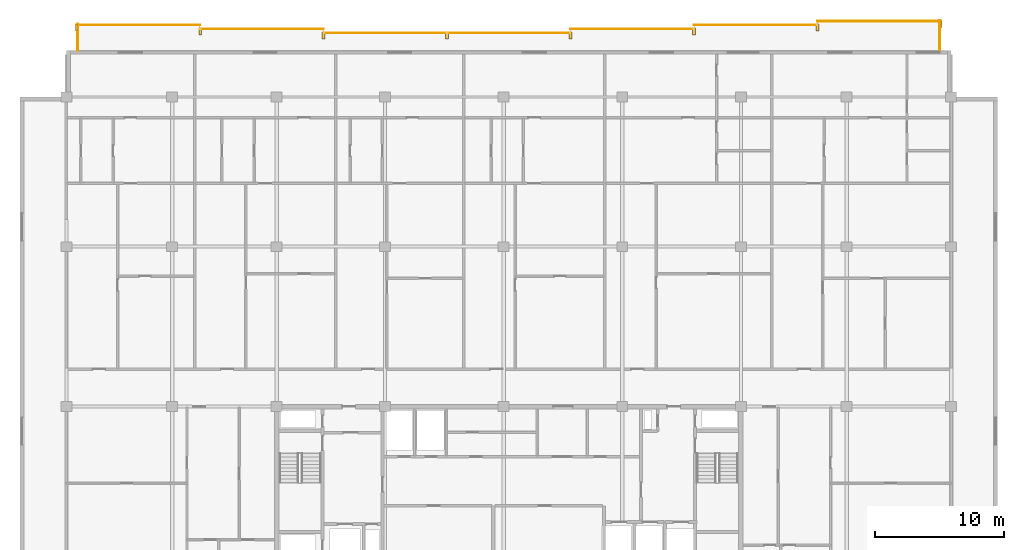
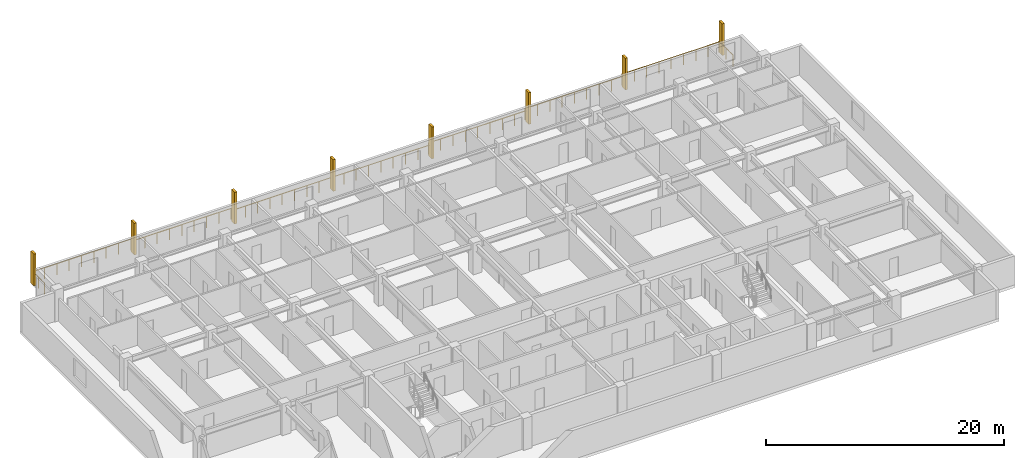
# One storey, part 17 of 17: 8 railings, 8 shading devices.
"""IFC4 building model written with IfcOpenShell, lengths in metres."""

from ifc_helpers import new_model, si_unit, direction, frame, origin, origin_2d, place, context, subcontext, project, spatial, rectangle, circle, extrude, material, type_object, element, save


model = new_model("IFC4")

# Units and contexts
model_context = context("Model", 3, precision=1e-05, world=origin(), true_north=direction((0.0, 1.0)))
body_context = subcontext(model_context, "Body", "Model", "MODEL_VIEW")
ifc_project = project(units=[si_unit("LENGTHUNIT", "METRE"), si_unit("AREAUNIT", "SQUARE_METRE"), si_unit("VOLUMEUNIT", "CUBIC_METRE"), si_unit("PLANEANGLEUNIT", "RADIAN"), si_unit("MASSUNIT", "GRAM", prefix="KILO")], contexts=[model_context])

# Site, building, storey
site_placement = place(None, origin())
site = spatial("IfcSite", under=ifc_project, at=site_placement, CompositionType="ELEMENT")
building_placement = place(site_placement, origin())
building = spatial("IfcBuilding", under=site, at=building_placement, Name="Korimba Cascade Residences", CompositionType="ELEMENT")
storey_placement = place(building_placement, frame((0.0, 0.0, 204.35009765625)))
storey = spatial("IfcBuildingStorey", under=building, at=storey_placement, Name="L59", CompositionType="ELEMENT", Elevation=204.35009765625)

# Railings
ifc_material_1 = material(Name="Laminated Glass and Bronze Balustrade", Category="glass")
railing_type = type_object("IfcRailingType", Name="RLG-LOG-1150", PredefinedType="BALUSTRADE", material=ifc_material_1)
railing_1_placement = place(storey_placement, frame((127.52001953125, 94.800048828125, 0.0)))
element("IfcRailing", 1, at=railing_1_placement, inside=storey, type_object=railing_type, Name="L59 Perimeter Guardrail RLG-L59-T1-LOG-01", PredefinedType="BALUSTRADE", context=body_context, shape_type="SweptSolid", body=[
    extrude(circle(Radius=0.02392578125, at=origin_2d()), frame((0.0, 0.0, 1.1259765625), z_axis=(0.0, 1.0, 0.0), x_axis=(-1.0, 0.0, 0.0)), (0.0, 0.0, 1.0), 2.349853515625),
    extrude(circle(Radius=0.02099609375, at=origin_2d()), origin(), (0.0, 0.0, 1.0), 1.101806640625),
    extrude(circle(Radius=0.02099609375, at=origin_2d()), frame((0.0, 1.1748046875, 0.0)), (0.0, 0.0, 1.0), 1.101806640625),
    extrude(circle(Radius=0.02099609375, at=origin_2d()), frame((0.0, 2.349853515625, 0.0)), (0.0, 0.0, 1.0), 1.101806640625),
])
for number, where, name in (
    (2, (127.60009765625, 97.070068359375, 0.0), "L59 Perimeter Guardrail RLG-L59-T1-LOG-02"),
    (3, (118.028564453125, 96.77001953125, 0.0), "L59 Perimeter Guardrail RLG-L59-T1-LOG-03"),
):
    element("IfcRailing", number, at=place(storey_placement, frame(where)), inside=storey, type_object=railing_type, Name=name, PredefinedType="BALUSTRADE", context=body_context, shape_type="SweptSolid", body=[
        extrude(circle(Radius=0.02392578125, at=origin_2d()), frame((0.0, 0.0, 1.1259765625), z_axis=(-1.0, 0.0, 0.0), x_axis=(0.0, -1.0, 0.0)), (0.0, 0.0, 1.0), 9.571533203125),
        extrude(circle(Radius=0.02099609375, at=origin_2d()), origin(), (0.0, 0.0, 1.0), 1.101806640625),
        extrude(circle(Radius=0.02099609375, at=origin_2d()), frame((-1.196533203125, 0.0, 0.0)), (0.0, 0.0, 1.0), 1.101806640625),
        extrude(circle(Radius=0.02099609375, at=origin_2d()), frame((-2.392822265625, 0.0, 0.0)), (0.0, 0.0, 1.0), 1.101806640625),
        extrude(circle(Radius=0.02099609375, at=origin_2d()), frame((-3.58935546875, 0.0, 0.0)), (0.0, 0.0, 1.0), 1.101806640625),
        extrude(circle(Radius=0.02099609375, at=origin_2d()), frame((-4.78564453125, 0.0, 0.0)), (0.0, 0.0, 1.0), 1.101806640625),
        extrude(circle(Radius=0.02099609375, at=origin_2d()), frame((-5.982177734375, 0.0, 0.0)), (0.0, 0.0, 1.0), 1.101806640625),
        extrude(circle(Radius=0.02099609375, at=origin_2d()), frame((-7.1787109375, 0.0, 0.0)), (0.0, 0.0, 1.0), 1.101806640625),
        extrude(circle(Radius=0.02099609375, at=origin_2d()), frame((-8.375, 0.0, 0.0)), (0.0, 0.0, 1.0), 1.101806640625),
        extrude(circle(Radius=0.02099609375, at=origin_2d()), frame((-9.571533203125, 0.0, 0.0)), (0.0, 0.0, 1.0), 1.101806640625),
    ])
railing_2_placement = place(storey_placement, frame((108.45703125, 96.469970703125, 0.0)))
element("IfcRailing", 4, at=railing_2_placement, inside=storey, type_object=railing_type, Name="L59 Perimeter Guardrail RLG-L59-T1-LOG-04", PredefinedType="BALUSTRADE", context=body_context, shape_type="SweptSolid", body=[
    extrude(circle(Radius=0.02392578125, at=origin_2d()), frame((0.0, 0.0, 1.1259765625), z_axis=(-1.0, 0.0, 0.0), x_axis=(0.0, -1.0, 0.0)), (0.0, 0.0, 1.0), 9.5712890625),
    extrude(circle(Radius=0.02099609375, at=origin_2d()), origin(), (0.0, 0.0, 1.0), 1.101806640625),
    extrude(circle(Radius=0.02099609375, at=origin_2d()), frame((-1.1962890625, 0.0, 0.0)), (0.0, 0.0, 1.0), 1.101806640625),
    extrude(circle(Radius=0.02099609375, at=origin_2d()), frame((-2.392822265625, 0.0, 0.0)), (0.0, 0.0, 1.0), 1.101806640625),
    extrude(circle(Radius=0.02099609375, at=origin_2d()), frame((-3.58935546875, 0.0, 0.0)), (0.0, 0.0, 1.0), 1.101806640625),
    extrude(circle(Radius=0.02099609375, at=origin_2d()), frame((-4.78564453125, 0.0, 0.0)), (0.0, 0.0, 1.0), 1.101806640625),
    extrude(circle(Radius=0.02099609375, at=origin_2d()), frame((-5.98193359375, 0.0, 0.0)), (0.0, 0.0, 1.0), 1.101806640625),
    extrude(circle(Radius=0.02099609375, at=origin_2d()), frame((-7.178466796875, 0.0, 0.0)), (0.0, 0.0, 1.0), 1.101806640625),
    extrude(circle(Radius=0.02099609375, at=origin_2d()), frame((-8.375, 0.0, 0.0)), (0.0, 0.0, 1.0), 1.101806640625),
    extrude(circle(Radius=0.02099609375, at=origin_2d()), frame((-9.5712890625, 0.0, 0.0)), (0.0, 0.0, 1.0), 1.101806640625),
])
railing_3_placement = place(storey_placement, frame((98.8857421875, 96.169921875, 0.0)))
element("IfcRailing", 5, at=railing_3_placement, inside=storey, type_object=railing_type, Name="L59 Perimeter Guardrail RLG-L59-T1-LOG-05", PredefinedType="BALUSTRADE", context=body_context, shape_type="SweptSolid", body=[
    extrude(circle(Radius=0.02392578125, at=origin_2d()), frame((0.0, 0.0, 1.1259765625), z_axis=(-1.0, 0.0, 0.0), x_axis=(0.0, -1.0, 0.0)), (0.0, 0.0, 1.0), 19.142822265625),
    extrude(circle(Radius=0.02099609375, at=origin_2d()), origin(), (0.0, 0.0, 1.0), 1.101806640625),
    extrude(circle(Radius=0.02099609375, at=origin_2d()), frame((-1.196533203125, 0.0, 0.0)), (0.0, 0.0, 1.0), 1.101806640625),
    extrude(circle(Radius=0.02099609375, at=origin_2d()), frame((-2.392822265625, 0.0, 0.0)), (0.0, 0.0, 1.0), 1.101806640625),
    extrude(circle(Radius=0.02099609375, at=origin_2d()), frame((-3.58935546875, 0.0, 0.0)), (0.0, 0.0, 1.0), 1.101806640625),
    extrude(circle(Radius=0.02099609375, at=origin_2d()), frame((-4.78564453125, 0.0, 0.0)), (0.0, 0.0, 1.0), 1.101806640625),
    extrude(circle(Radius=0.02099609375, at=origin_2d()), frame((-5.982177734375, 0.0, 0.0)), (0.0, 0.0, 1.0), 1.101806640625),
    extrude(circle(Radius=0.02099609375, at=origin_2d()), frame((-7.178466796875, 0.0, 0.0)), (0.0, 0.0, 1.0), 1.101806640625),
    extrude(circle(Radius=0.02099609375, at=origin_2d()), frame((-8.375, 0.0, 0.0)), (0.0, 0.0, 1.0), 1.101806640625),
    extrude(circle(Radius=0.02099609375, at=origin_2d()), frame((-9.5712890625, 0.0, 0.0)), (0.0, 0.0, 1.0), 1.101806640625),
    extrude(circle(Radius=0.02099609375, at=origin_2d()), frame((-10.767822265625, 0.0, 0.0)), (0.0, 0.0, 1.0), 1.101806640625),
    extrude(circle(Radius=0.02099609375, at=origin_2d()), frame((-11.96435546875, 0.0, 0.0)), (0.0, 0.0, 1.0), 1.101806640625),
    extrude(circle(Radius=0.02099609375, at=origin_2d()), frame((-13.16064453125, 0.0, 0.0)), (0.0, 0.0, 1.0), 1.101806640625),
    extrude(circle(Radius=0.02099609375, at=origin_2d()), frame((-14.357177734375, 0.0, 0.0)), (0.0, 0.0, 1.0), 1.101806640625),
    extrude(circle(Radius=0.02099609375, at=origin_2d()), frame((-15.553466796875, 0.0, 0.0)), (0.0, 0.0, 1.0), 1.101806640625),
    extrude(circle(Radius=0.02099609375, at=origin_2d()), frame((-16.75, 0.0, 0.0)), (0.0, 0.0, 1.0), 1.101806640625),
    extrude(circle(Radius=0.02099609375, at=origin_2d()), frame((-17.9462890625, 0.0, 0.0)), (0.0, 0.0, 1.0), 1.101806640625),
    extrude(circle(Radius=0.02099609375, at=origin_2d()), frame((-19.142822265625, 0.0, 0.0)), (0.0, 0.0, 1.0), 1.101806640625),
])
railing_4_placement = place(storey_placement, frame((79.742919921875, 96.469970703125, 0.0)))
element("IfcRailing", 6, at=railing_4_placement, inside=storey, type_object=railing_type, Name="L59 Perimeter Guardrail RLG-L59-T1-LOG-06", PredefinedType="BALUSTRADE", context=body_context, shape_type="SweptSolid", body=[
    extrude(circle(Radius=0.02392578125, at=origin_2d()), frame((0.0, 0.0, 1.1259765625), z_axis=(-1.0, 0.0, 0.0), x_axis=(0.0, -1.0, 0.0)), (0.0, 0.0, 1.0), 9.571533203125),
    extrude(circle(Radius=0.02099609375, at=origin_2d()), origin(), (0.0, 0.0, 1.0), 1.101806640625),
    extrude(circle(Radius=0.02099609375, at=origin_2d()), frame((-1.196533203125, 0.0, 0.0)), (0.0, 0.0, 1.0), 1.101806640625),
    extrude(circle(Radius=0.02099609375, at=origin_2d()), frame((-2.392822265625, 0.0, 0.0)), (0.0, 0.0, 1.0), 1.101806640625),
    extrude(circle(Radius=0.02099609375, at=origin_2d()), frame((-3.58935546875, 0.0, 0.0)), (0.0, 0.0, 1.0), 1.101806640625),
    extrude(circle(Radius=0.02099609375, at=origin_2d()), frame((-4.78564453125, 0.0, 0.0)), (0.0, 0.0, 1.0), 1.101806640625),
    extrude(circle(Radius=0.02099609375, at=origin_2d()), frame((-5.982177734375, 0.0, 0.0)), (0.0, 0.0, 1.0), 1.101806640625),
    extrude(circle(Radius=0.02099609375, at=origin_2d()), frame((-7.1787109375, 0.0, 0.0)), (0.0, 0.0, 1.0), 1.101806640625),
    extrude(circle(Radius=0.02099609375, at=origin_2d()), frame((-8.375, 0.0, 0.0)), (0.0, 0.0, 1.0), 1.101806640625),
    extrude(circle(Radius=0.02099609375, at=origin_2d()), frame((-9.571533203125, 0.0, 0.0)), (0.0, 0.0, 1.0), 1.101806640625),
])
railing_5_placement = place(storey_placement, frame((70.17138671875, 96.77001953125, 0.0)))
element("IfcRailing", 7, at=railing_5_placement, inside=storey, type_object=railing_type, Name="L59 Perimeter Guardrail RLG-L59-T1-LOG-07", PredefinedType="BALUSTRADE", context=body_context, shape_type="SweptSolid", body=[
    extrude(circle(Radius=0.02392578125, at=origin_2d()), frame((0.0, 0.0, 1.1259765625), z_axis=(-1.0, 0.0, 0.0), x_axis=(0.0, -1.0, 0.0)), (0.0, 0.0, 1.0), 9.5712890625),
    extrude(circle(Radius=0.02099609375, at=origin_2d()), origin(), (0.0, 0.0, 1.0), 1.101806640625),
    extrude(circle(Radius=0.02099609375, at=origin_2d()), frame((-1.1962890625, 0.0, 0.0)), (0.0, 0.0, 1.0), 1.101806640625),
    extrude(circle(Radius=0.02099609375, at=origin_2d()), frame((-2.392822265625, 0.0, 0.0)), (0.0, 0.0, 1.0), 1.101806640625),
    extrude(circle(Radius=0.02099609375, at=origin_2d()), frame((-3.58935546875, 0.0, 0.0)), (0.0, 0.0, 1.0), 1.101806640625),
    extrude(circle(Radius=0.02099609375, at=origin_2d()), frame((-4.78564453125, 0.0, 0.0)), (0.0, 0.0, 1.0), 1.101806640625),
    extrude(circle(Radius=0.02099609375, at=origin_2d()), frame((-5.98193359375, 0.0, 0.0)), (0.0, 0.0, 1.0), 1.101806640625),
    extrude(circle(Radius=0.02099609375, at=origin_2d()), frame((-7.178466796875, 0.0, 0.0)), (0.0, 0.0, 1.0), 1.101806640625),
    extrude(circle(Radius=0.02099609375, at=origin_2d()), frame((-8.375, 0.0, 0.0)), (0.0, 0.0, 1.0), 1.101806640625),
    extrude(circle(Radius=0.02099609375, at=origin_2d()), frame((-9.5712890625, 0.0, 0.0)), (0.0, 0.0, 1.0), 1.101806640625),
])
railing_6_placement = place(storey_placement, frame((60.679931640625, 96.85009765625, 0.0)))
element("IfcRailing", 8, at=railing_6_placement, inside=storey, type_object=railing_type, Name="L59 Perimeter Guardrail RLG-L59-T1-LOG-08", PredefinedType="BALUSTRADE", context=body_context, shape_type="SweptSolid", body=[
    extrude(circle(Radius=0.02392578125, at=origin_2d()), frame((0.0, 0.0, 1.1259765625), z_axis=(0.0, -1.0, 0.0), x_axis=(1.0, 0.0, 0.0)), (0.0, 0.0, 1.0), 2.050048828125),
    extrude(circle(Radius=0.02099609375, at=origin_2d()), origin(), (0.0, 0.0, 1.0), 1.101806640625),
    extrude(circle(Radius=0.02099609375, at=origin_2d()), frame((0.0, -1.02490234375, 0.0)), (0.0, 0.0, 1.0), 1.101806640625),
    extrude(circle(Radius=0.02099609375, at=origin_2d()), frame((0.0, -2.050048828125, 0.0)), (0.0, 0.0, 1.0), 1.101806640625),
])

# Shading devices
ifc_material_2 = material(Name="Honed Sandstone Precast Fin", Category="masonry")
shading_device_type = type_object("IfcShadingDeviceType", Name="SHD-FIN-550", PredefinedType="USERDEFINED", material=ifc_material_2)
for number, where, z_axis, x_axis, name in (
    (9, (60.60009765625, 96.574951171875, 0.0), (0.0, 0.0, 1.0), (1.0, 0.0, 0.0), "L59 T1 Warm-Stone Loggia Fin 1"),
    (10, (70.17138671875, 96.27490234375, 0.0), (0.0, 0.0, 1.0), (1.0, 0.0, 0.0), "L59 T1 Warm-Stone Loggia Fin 2"),
    (11, (79.742919921875, 95.97509765625, 0.0), (0.0, 0.0, 1.0), (1.0, 0.0, 0.0), "L59 T1 Warm-Stone Loggia Fin 3"),
    (12, (89.314208984375, 95.97509765625, 0.0), (0.0, 0.0, 1.0), (1.0, 0.0, 0.0), "L59 T1 Warm-Stone Loggia Fin 4"),
    (13, (98.8857421875, 95.97509765625, 0.0), (0.0, 0.0, 1.0), (1.0, 0.0, 0.0), "L59 T1 Warm-Stone Loggia Fin 5"),
    (14, (108.45703125, 96.27490234375, 0.0), (0.0, 0.0, 1.0), (1.0, 0.0, 0.0), "L59 T1 Warm-Stone Loggia Fin 6"),
    (15, (118.028564453125, 96.574951171875, 0.0), (0.0, 0.0, 1.0), (1.0, 0.0, 0.0), "L59 T1 Warm-Stone Loggia Fin 7"),
    (16, (127.60009765625, 96.875, 0.0), (0.0, 0.0, 1.0), (1.0, 0.0, 0.0), "L59 T1 Warm-Stone Loggia Fin 8"),
):
    element("IfcShadingDevice", number, at=place(storey_placement, frame(where, z_axis=z_axis, x_axis=x_axis)), inside=storey, type_object=shading_device_type, Name=name, ObjectType="FIN", PredefinedType="USERDEFINED", context=body_context, shape_type="SweptSolid", body=[
        extrude(rectangle(XDim=0.219970703125, YDim=0.550048828125, at=origin_2d()), origin(), (0.0, 0.0, 1.0), 3.25),
    ])

save(model, "model.ifc")
